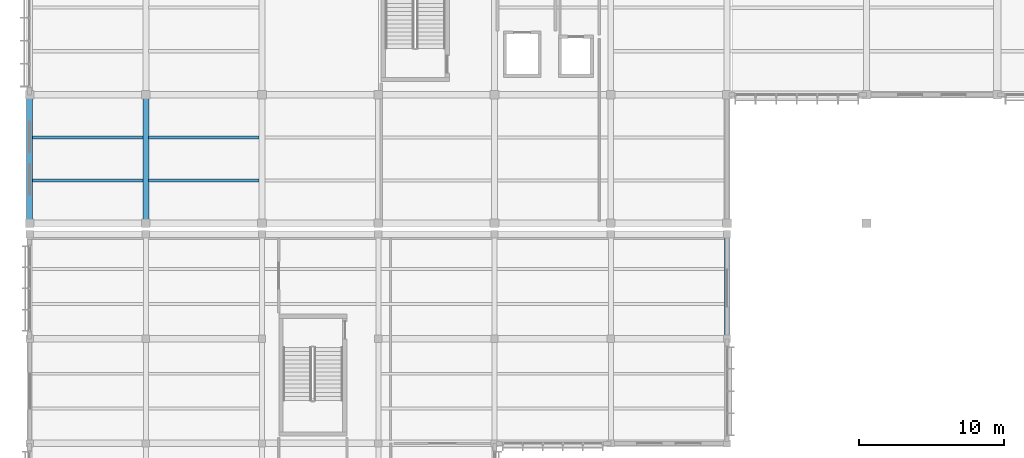
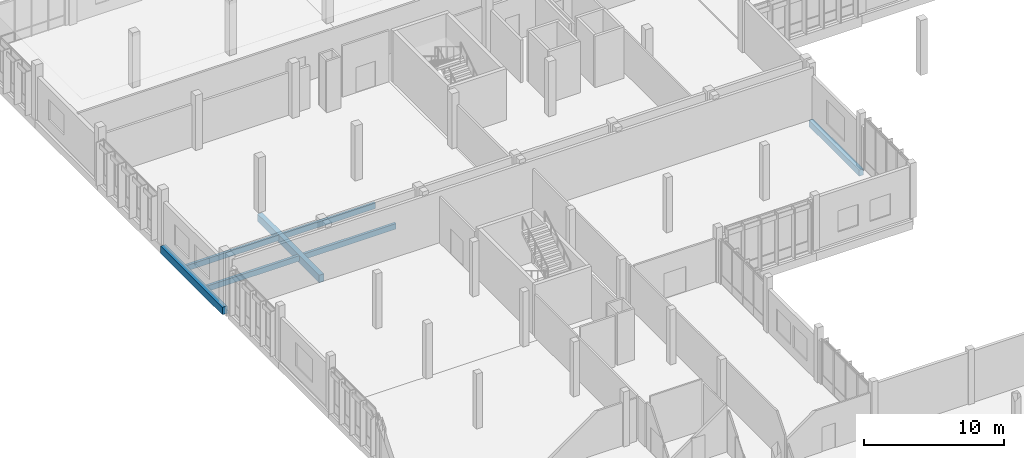
# One storey, part 72 of 177: 7 beams.
"""IFC4 building model written with IfcOpenShell, lengths in metres."""

from ifc_helpers import new_model, si_unit, direction, frame, origin, origin_2d, place, context, subcontext, project, spatial, rectangle, extrude, material, material_profile, profile_set, type_object, element, save


model = new_model("IFC4")

# Units and contexts
model_context = context("Model", 3, precision=1e-05, world=origin(), true_north=direction((0.0, 1.0)))
body_context = subcontext(model_context, "Body", "Model", "MODEL_VIEW")
ifc_project = project(units=[si_unit("LENGTHUNIT", "METRE"), si_unit("AREAUNIT", "SQUARE_METRE"), si_unit("VOLUMEUNIT", "CUBIC_METRE"), si_unit("PLANEANGLEUNIT", "RADIAN"), si_unit("MASSUNIT", "GRAM", prefix="KILO")], contexts=[model_context])

# Site, building, storey
site_placement = place(None, origin())
site = spatial("IfcSite", under=ifc_project, at=site_placement, CompositionType="ELEMENT")
building_placement = place(site_placement, origin())
building = spatial("IfcBuilding", under=site, at=building_placement, Name="Chiffa Square Polytechnic", CompositionType="ELEMENT")
storey_placement = place(building_placement, frame((0.0, 0.0, 4.800048828125)))
storey = spatial("IfcBuildingStorey", under=building, at=storey_placement, Name="L01", CompositionType="ELEMENT", Elevation=4.800048828125)

# Beams
ifc_material_1 = material(Name="Concrete C35/45", Category="concrete")
ifc_material_profile_1 = material_profile(ifc_material_1, rectangle(XDim=0.35009765625, YDim=0.550048828125, at=origin_2d()), Name="RC 350x550")
ifc_profile_set_1 = profile_set([ifc_material_profile_1], Name="Concrete C35/45")
beam_type_1 = type_object("IfcBeamType", Name="BM-RC-350X550", PredefinedType="BEAM", material=ifc_profile_set_1)
beam_placement = place(storey_placement, frame((48.0, 87.0, -0.554931640625), z_axis=(0.0, 1.0, 0.0), x_axis=(-1.0, 0.0, 0.0)))
element("IfcBeam", 1, at=beam_placement, inside=storey, type_object=beam_type_1, Name="Primary floor girder BM-V6-L01-Y-0480-0870", PredefinedType="BEAM", context=body_context, shape_type="SweptSolid", body=[
    extrude(rectangle(XDim=0.35009765625, YDim=0.550048828125, at=origin_2d()), origin(), (0.0, 0.0, 1.0), 7.199951171875),
])
ifc_material_profile_2 = material_profile(ifc_material_1, rectangle(XDim=0.39990234375, YDim=0.64990234375, at=origin_2d()), Name="RC 400x650")
ifc_profile_set_2 = profile_set([ifc_material_profile_2], Name="Concrete C35/45")
beam_type_2 = type_object("IfcBeamType", Name="BM-RC-400X650", PredefinedType="BEAM", material=ifc_profile_set_2)
for number, where, z_axis, x_axis, name in (
    (2, (0.0, 94.949951171875, -0.60498046875), (0.0, 1.0, 0.0), (-1.0, 0.0, 0.0), "Primary floor girder BM-V5-L01-Y-0000-0950"),
    (3, (8.0, 94.949951171875, -0.60498046875), (0.0, 1.0, 0.0), (-1.0, 0.0, 0.0), "Primary floor girder BM-V5-L01-Y-0080-0950"),
):
    element("IfcBeam", number, at=place(storey_placement, frame(where, z_axis=z_axis, x_axis=x_axis)), inside=storey, type_object=beam_type_2, Name=name, PredefinedType="BEAM", context=body_context, shape_type="SweptSolid", body=[
        extrude(rectangle(XDim=0.39990234375, YDim=0.64990234375, at=origin_2d()), origin(), (0.0, 0.0, 1.0), 8.85009765625),
    ])
ifc_material_2 = material(Name="Glulam GL28h", Category="wood")
ifc_material_profile_3 = material_profile(ifc_material_2, rectangle(XDim=0.219970703125, YDim=0.47998046875, at=origin_2d()), Name="GL28h 220x480")
ifc_profile_set_3 = profile_set([ifc_material_profile_3], Name="Glulam GL28h")
beam_type_3 = type_object("IfcBeamType", Name="JST-GL-220X480", PredefinedType="JOIST", material=ifc_profile_set_3)
for number, where, z_axis, x_axis, name in (
    (4, (0.197998046875, 97.89990234375, -0.52001953125), (1.0, 0.0, 0.0), (0.0, 1.0, 0.0), "Secondary floor joist JST-V5-L01-0000-0979"),
    (5, (0.197998046875, 100.85009765625, -0.52001953125), (1.0, 0.0, 0.0), (0.0, 1.0, 0.0), "Secondary floor joist JST-V5-L01-0000-1008"),
    (6, (8.197998046875, 97.89990234375, -0.52001953125), (1.0, 0.0, 0.0), (0.0, 1.0, 0.0), "Secondary floor joist JST-V5-L01-0080-0979"),
    (7, (8.197998046875, 100.85009765625, -0.52001953125), (1.0, 0.0, 0.0), (0.0, 1.0, 0.0), "Secondary floor joist JST-V5-L01-0080-1008"),
):
    element("IfcBeam", number, at=place(storey_placement, frame(where, z_axis=z_axis, x_axis=x_axis)), inside=storey, type_object=beam_type_3, Name=name, PredefinedType="JOIST", context=body_context, shape_type="SweptSolid", body=[
        extrude(rectangle(XDim=0.219970703125, YDim=0.47998046875, at=origin_2d()), origin(), (0.0, 0.0, 1.0), 7.60400390625),
    ])

save(model, "model.ifc")
